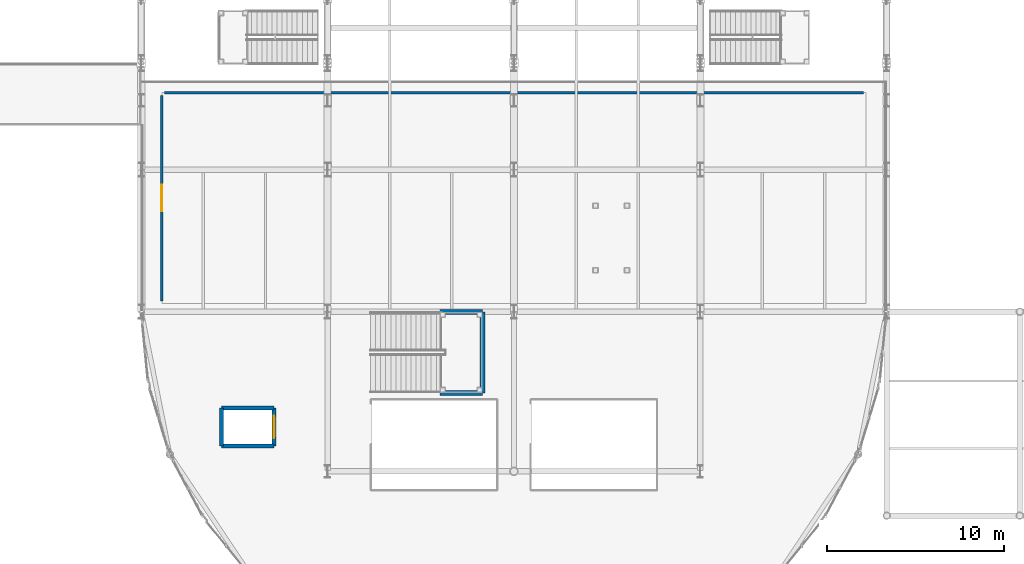
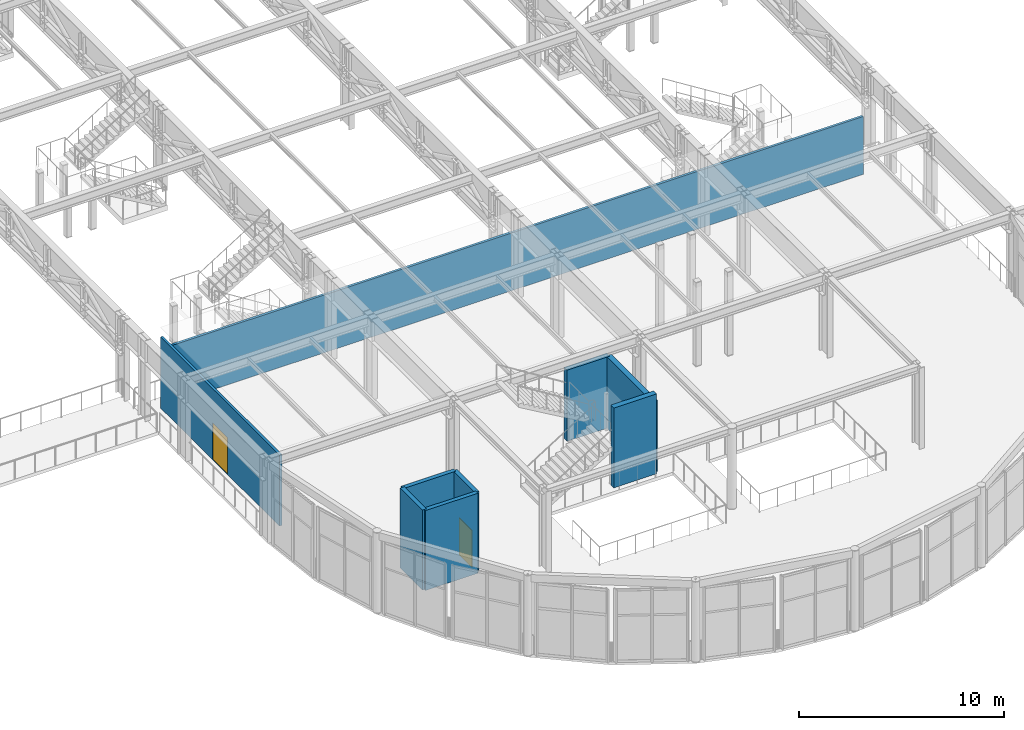
# One storey, part 83 of 143: 9 walls, 2 doors, 2 openings.
"""IFC4 building model written with IfcOpenShell, lengths in metres."""

from ifc_helpers import new_model, si_unit, direction, frame, frame_2d, origin, place, context, subcontext, project, spatial, rectangle, extrude, material, layer, layer_set, type_object, element, fill, save


model = new_model("IFC4")

# Units and contexts
model_context = context("Model", 3, precision=1e-05, world=origin(), true_north=direction((0.0, 1.0)))
body_context = subcontext(model_context, "Body", "Model", "MODEL_VIEW")
ifc_project = project(units=[si_unit("LENGTHUNIT", "METRE"), si_unit("AREAUNIT", "SQUARE_METRE"), si_unit("VOLUMEUNIT", "CUBIC_METRE"), si_unit("PLANEANGLEUNIT", "RADIAN"), si_unit("MASSUNIT", "GRAM", prefix="KILO")], contexts=[model_context])

# Site, building, storey
site_placement = place(None, origin())
site = spatial("IfcSite", under=ifc_project, at=site_placement, CompositionType="ELEMENT")
building_placement = place(site_placement, origin())
building = spatial("IfcBuilding", under=site, at=building_placement, Name="Marlcrest Central Station", CompositionType="ELEMENT")
storey_placement = place(building_placement, frame((0.0, 0.0, 4.800048828125)))
storey = spatial("IfcBuildingStorey", under=building, at=storey_placement, Name="L01", CompositionType="ELEMENT", Elevation=4.800048828125)

# Wall, opening, door
ifc_material_1 = material(Name="Acoustic double-stud partition")
ifc_layer_1 = layer(ifc_material_1, 0.139892578125, Name="PT-02")
ifc_layer_set_1 = layer_set([ifc_layer_1], Name="Acoustic double-stud partition")
wall_type_1 = type_object("IfcWallType", Name="PT-02", PredefinedType="PARTITIONING", material=ifc_layer_set_1)
wall_1_placement = place(storey_placement, frame((88.159912109375, 34.68994140625, 0.0), z_axis=(0.0, 0.0, 1.0), x_axis=(0.0, -1.0, 0.0)))
wall_1 = element("IfcWall", 1, at=wall_1_placement, inside=storey, type_object=wall_type_1, Name="iwall-L01-00072", PredefinedType="PARTITIONING", context=body_context, shape_type="SweptSolid", body=[
    extrude(rectangle(XDim=11.579833984375, YDim=0.139892578125, at=frame_2d((5.7900390625, 0.0))), origin(), (0.0, 0.0, 1.0), 4.23486328125),
])
opening_1_placement = place(wall_1_placement, frame((5.0400390625, 0.0, 0.0)))
opening_1 = element("IfcOpeningElement", 2, at=opening_1_placement, cuts=wall_1, Name="Opening ID-05", PredefinedType="OPENING", context=body_context, shape_type="SweptSolid", body=[
    extrude(rectangle(XDim=1.5, YDim=2.199951171875, at=frame_2d((0.75, 1.10009765625))), frame((0.0, 0.079833984375, 0.0), z_axis=(0.0, -1.0, 0.0), x_axis=(1.0, 0.0, 0.0)), (0.0, 0.0, 1.0), 0.159912109375),
])
ifc_material_2 = material(Name="Double lounge and meeting door")
door_type_1 = type_object("IfcDoorType", Name="ID-05", OperationType="DOUBLE_DOOR_SINGLE_SWING", PredefinedType="DOOR", material=ifc_material_2)
door_1_placement = place(opening_1_placement, origin())
door_1 = element("IfcDoor", 3, at=door_1_placement, inside=storey, type_object=door_type_1, Name="L01-V2S1 0044", OperationType="DOUBLE_DOOR_SINGLE_SWING", OverallHeight=2.199951171875, OverallWidth=1.5, PredefinedType="DOOR", context=body_context, shape_type="SweptSolid", body=[
    extrude(rectangle(XDim=1.5, YDim=2.199951171875, at=frame_2d((0.75, 1.10009765625))), frame((0.0, 0.02490234375, 0.0), z_axis=(0.0, -1.0, 0.0), x_axis=(1.0, 0.0, 0.0)), (0.0, 0.0, 1.0), 0.050048828125),
])
fill(opening_1, door_1)

# Walls
wall_2_placement = place(storey_placement, frame((88.31005859375, 34.840087890625, 0.0), z_axis=(0.0, 0.0, 1.0), x_axis=(1.0, 0.0, 0.0)))
element("IfcWall", 4, at=wall_2_placement, inside=storey, type_object=wall_type_1, Name="iwall-L01-00073", PredefinedType="PARTITIONING", context=body_context, shape_type="SweptSolid", body=[
    extrude(rectangle(XDim=39.3798828125, YDim=0.139892578125, at=frame_2d((19.68994140625, 0.0))), origin(), (0.0, 0.0, 1.0), 3.43505859375),
])
ifc_material_3 = material(Name="Concrete C40/50", Category="concrete")
ifc_layer_2 = layer(ifc_material_3, 0.22998046875, Name="SHW-01")
ifc_layer_set_2 = layer_set([ifc_layer_2], Name="Concrete C40/50")
wall_type_2 = type_object("IfcWallType", Name="SHW-01", PredefinedType="SOLIDWALL", material=ifc_layer_set_2)
for number, where, z_axis, x_axis, name in (
    (5, (91.52001953125, 17.080078125, 0.0), (0.0, 0.0, 1.0), (1.0, 0.0, 0.0), "iwall-L01-00291"),
    (6, (94.47998046875, 14.919921875, 0.0), (0.0, 0.0, 1.0), (-1.0, 0.0, 0.0), "iwall-L01-00292"),
):
    element("IfcWall", number, at=place(storey_placement, frame(where, z_axis=z_axis, x_axis=x_axis)), inside=storey, type_object=wall_type_2, Name=name, PredefinedType="SOLIDWALL", context=body_context, shape_type="SweptSolid", body=[
        extrude(rectangle(XDim=2.9599609375, YDim=0.22998046875, at=frame_2d((1.47998046875, 0.0))), origin(), (0.0, 0.0, 1.0), 4.760009765625),
    ])
wall_3_placement = place(storey_placement, frame((91.52001953125, 14.919921875, 0.0), z_axis=(0.0, 0.0, 1.0), x_axis=(0.0, 1.0, 0.0)))
element("IfcWall", 7, at=wall_3_placement, inside=storey, type_object=wall_type_2, Name="iwall-L01-00293", PredefinedType="SOLIDWALL", context=body_context, shape_type="SweptSolid", body=[
    extrude(rectangle(XDim=2.16015625, YDim=0.22998046875, at=frame_2d((1.080078125, 0.0))), origin(), (0.0, 0.0, 1.0), 4.760009765625),
])

# Wall, opening, door
wall_4_placement = place(storey_placement, frame((94.47998046875, 17.080078125, 0.0), z_axis=(0.0, 0.0, 1.0), x_axis=(0.0, -1.0, 0.0)))
wall_4 = element("IfcWall", 8, at=wall_4_placement, inside=storey, type_object=wall_type_2, Name="iwall-L01-00294", PredefinedType="SOLIDWALL", context=body_context, shape_type="SweptSolid", body=[
    extrude(rectangle(XDim=2.16015625, YDim=0.22998046875, at=frame_2d((1.080078125, 0.0))), origin(), (0.0, 0.0, 1.0), 4.760009765625),
])
opening_2_placement = place(wall_4_placement, frame((0.455078125, 0.0, 0.0)))
opening_2 = element("IfcOpeningElement", 9, at=opening_2_placement, cuts=wall_4, Name="Opening LD-02", PredefinedType="OPENING", context=body_context, shape_type="SweptSolid", body=[
    extrude(rectangle(XDim=1.25, YDim=2.199951171875, at=frame_2d((0.625, 1.10009765625))), frame((0.0, 0.125, 0.0), z_axis=(0.0, -1.0, 0.0), x_axis=(1.0, 0.0, 0.0)), (0.0, 0.0, 1.0), 0.25),
])
ifc_material_4 = material(Name="Stainless steel stretcher/firefighting lift landing door", Category="steel")
door_type_2 = type_object("IfcDoorType", Name="LD-02", OperationType="DOUBLE_DOOR_SLIDING", PredefinedType="DOOR", material=ifc_material_4)
door_2_placement = place(opening_2_placement, origin())
door_2 = element("IfcDoor", 10, at=door_2_placement, inside=storey, type_object=door_type_2, Name="LF-C1 Lift Landing Door 0143", OperationType="DOUBLE_DOOR_SLIDING", OverallHeight=2.199951171875, OverallWidth=1.25, PredefinedType="DOOR", context=body_context, shape_type="SweptSolid", body=[
    extrude(rectangle(XDim=1.25, YDim=2.199951171875, at=frame_2d((0.625, 1.10009765625))), frame((0.0, 0.02490234375, 0.0), z_axis=(0.0, -1.0, 0.0), x_axis=(1.0, 0.0, 0.0)), (0.0, 0.0, 1.0), 0.050048828125),
])
fill(opening_2, door_2)

# Walls
ifc_material_5 = material(Name="Concrete C50/60", Category="concrete")
ifc_layer_3 = layer(ifc_material_5, 0.300048828125, Name="SW-02")
ifc_layer_set_3 = layer_set([ifc_layer_3], Name="Concrete C50/60")
wall_type_3 = type_object("IfcWallType", Name="SW-02", PredefinedType="SHEAR", material=ifc_layer_set_3)
wall_5_placement = place(storey_placement, frame((103.830078125, 17.919921875, 0.0), z_axis=(0.0, 0.0, 1.0), x_axis=(1.0, 0.0, 0.0)))
element("IfcWall", 11, at=wall_5_placement, inside=storey, type_object=wall_type_3, Name="htsw-0033-S", PredefinedType="SHEAR", context=body_context, shape_type="SweptSolid", body=[
    extrude(rectangle(XDim=2.39990234375, YDim=0.300048828125, at=frame_2d((1.199951171875, 0.0))), origin(), (0.0, 0.0, 1.0), 4.75),
])
wall_6_placement = place(storey_placement, frame((106.22998046875, 17.919921875, 0.0), z_axis=(0.0, 0.0, 1.0), x_axis=(0.0, 1.0, 0.0)))
element("IfcWall", 12, at=wall_6_placement, inside=storey, type_object=wall_type_3, Name="htsw-0033-E", PredefinedType="SHEAR", context=body_context, shape_type="SweptSolid", body=[
    extrude(rectangle(XDim=4.56005859375, YDim=0.300048828125, at=frame_2d((2.280029296875, 0.0))), origin(), (0.0, 0.0, 1.0), 4.23486328125),
])
wall_7_placement = place(storey_placement, frame((106.22998046875, 22.47998046875, 0.0), z_axis=(0.0, 0.0, 1.0), x_axis=(-1.0, 0.0, 0.0)))
element("IfcWall", 13, at=wall_7_placement, inside=storey, type_object=wall_type_3, Name="htsw-0033-N", PredefinedType="SHEAR", context=body_context, shape_type="SweptSolid", body=[
    extrude(rectangle(XDim=2.39990234375, YDim=0.300048828125, at=frame_2d((1.199951171875, 0.0))), origin(), (0.0, 0.0, 1.0), 4.23486328125),
])

save(model, "model.ifc")
